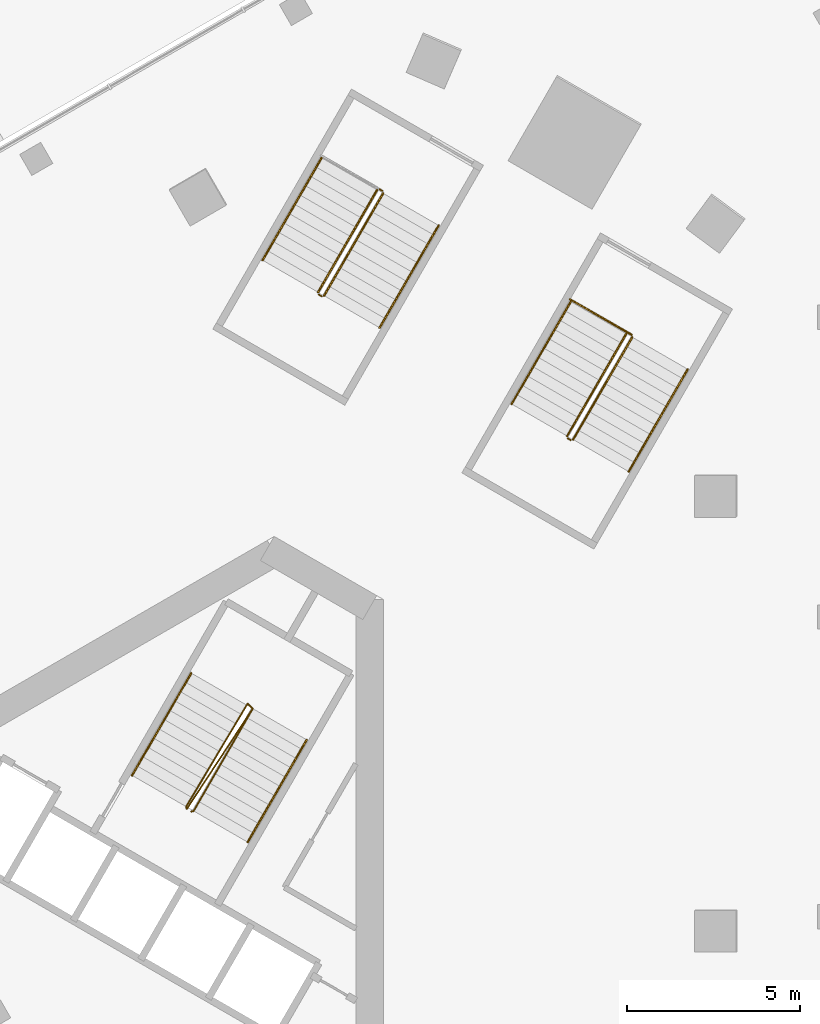
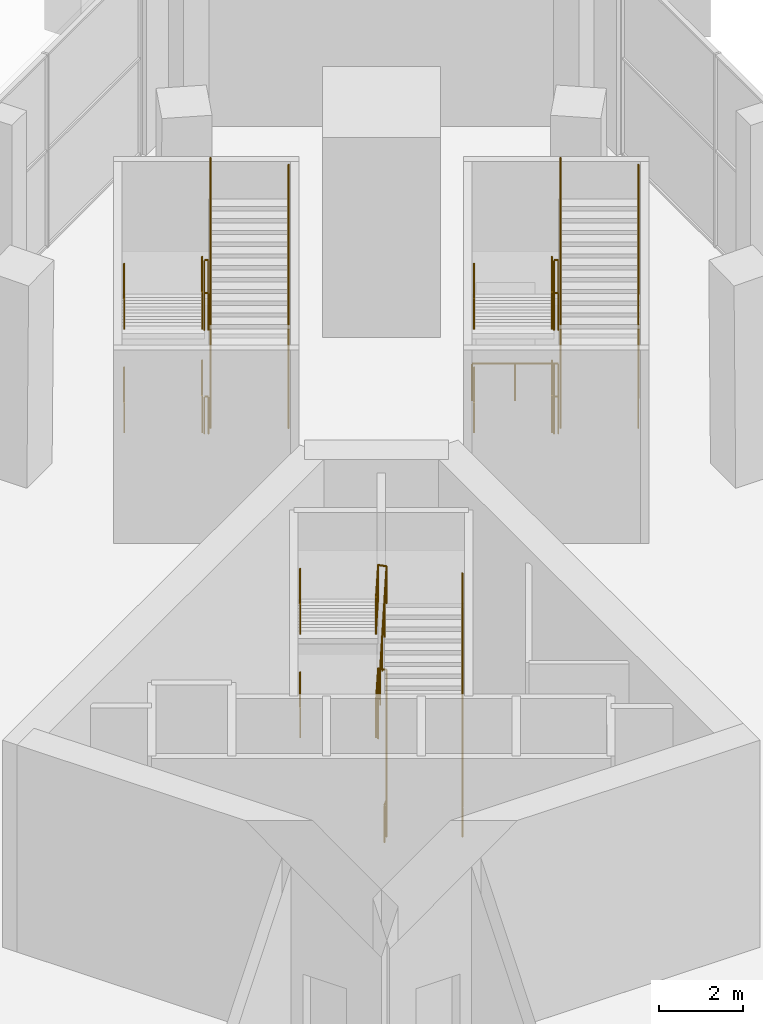
# One storey, part 43 of 51: 29 railings.
"""IFC4 building model written with IfcOpenShell, lengths in metres."""

from ifc_helpers import new_model, si_unit, direction, frame, origin, origin_2d, place, context, subcontext, project, spatial, circle, extrude, material, type_object, element, save


model = new_model("IFC4")

# Units and contexts
model_context = context("Model", 3, precision=1e-05, world=origin(), true_north=direction((0.0, 1.0)))
body_context = subcontext(model_context, "Body", "Model", "MODEL_VIEW")
ifc_project = project(units=[si_unit("LENGTHUNIT", "METRE"), si_unit("AREAUNIT", "SQUARE_METRE"), si_unit("VOLUMEUNIT", "CUBIC_METRE"), si_unit("PLANEANGLEUNIT", "RADIAN"), si_unit("MASSUNIT", "GRAM", prefix="KILO")], contexts=[model_context])

# Site, building, storey
site_placement = place(None, origin())
site = spatial("IfcSite", under=ifc_project, at=site_placement, CompositionType="ELEMENT")
building_placement = place(site_placement, origin())
building = spatial("IfcBuilding", under=site, at=building_placement, Name="Jabali Bay Hotel Tower and Convention Centre", CompositionType="ELEMENT")
storey_placement = place(building_placement, frame((0.0, 0.0, 9.0)))
storey = spatial("IfcBuildingStorey", under=building, at=storey_placement, Name="L01", CompositionType="ELEMENT", Elevation=9.0)

# Railings
ifc_material = material(Name="Steel Q355B", Category="steel")
railing_type_1 = type_object("IfcRailingType", Name="Stair guard 1100", PredefinedType="GUARDRAIL", material=ifc_material)
railing_1_placement = place(storey_placement, frame((84.329833984375, 96.010009765625, 0.0)))
element("IfcRailing", 1, at=railing_1_placement, inside=storey, type_object=railing_type_1, Name="L01 ST2 stair guard 1", PredefinedType="GUARDRAIL", context=body_context, shape_type="SweptSolid", body=[
    extrude(circle(Radius=0.02392578125, at=origin_2d()), frame((0.0, 0.0, 1.076171875), z_axis=(0.475898071169, 0.127472697635, 0.870213615852), x_axis=(-0.258736085224, 0.965948051503, 0.0)), (0.0, 0.0, 1.0), 0.1435546875),
    extrude(circle(Radius=0.02392578125, at=origin_2d()), frame((0.068359375, 0.018310546875, 1.201171875), z_axis=(0.463739605653, 0.803177873708, 0.373966417388), x_axis=(-0.866013897511, 0.50001992892, 0.0)), (0.0, 0.0, 1.0), 3.6767578125),
    extrude(circle(Radius=0.02392578125, at=origin_2d()), frame((1.7734375, 2.971435546875, 2.576171875), z_axis=(-0.718850276695, 0.695164929852, 0.0), x_axis=(-0.695164929852, -0.718850276695, 0.0)), (0.0, 0.0, 1.0), 0.2060546875),
    extrude(circle(Radius=0.02392578125, at=origin_2d()), frame((1.625244140625, 3.11474609375, 2.576171875), z_axis=(-0.470215816766, -0.787857476027, 0.397715580701), x_axis=(0.858692051813, -0.512491912281, 0.0)), (0.0, 0.0, 1.0), 3.771484375),
    extrude(circle(Radius=0.02392578125, at=origin_2d()), frame((-0.148193359375, 0.143310546875, 4.076171875), z_axis=(0.258736085224, -0.965948051503, 0.0), x_axis=(0.965948051503, 0.258736085224, 0.0)), (0.0, 0.0, 1.0), 0.07080078125),
    extrude(circle(Radius=0.02392578125, at=origin_2d()), frame((-0.1298828125, 0.074951171875, 4.076171875), z_axis=(0.503985290176, 0.766967865912, 0.39718902294), x_axis=(-0.835716563808, 0.549161019171, 0.0)), (0.0, 0.0, 1.0), 3.776611328125),
    extrude(circle(Radius=0.02392578125, at=origin_2d()), frame((1.7734375, 2.971435546875, 5.576171875), z_axis=(-0.718850276695, 0.695164929852, 0.0), x_axis=(-0.695164929852, -0.718850276695, 0.0)), (0.0, 0.0, 1.0), 0.2060546875),
    extrude(circle(Radius=0.02392578125, at=origin_2d()), frame((1.625244140625, 3.11474609375, 5.576171875), z_axis=(-0.470215816766, -0.787857476027, 0.397715580701), x_axis=(0.858692051813, -0.512491912281, 0.0)), (0.0, 0.0, 1.0), 3.771484375),
    extrude(circle(Radius=0.02099609375, at=origin_2d()), origin(), (0.0, 0.0, 1.0), 1.052001953125),
    extrude(circle(Radius=0.02099609375, at=origin_2d()), frame((0.068359375, 0.018310546875, 0.125)), (0.0, 0.0, 1.0), 1.052001953125),
    extrude(circle(Radius=0.02099609375, at=origin_2d()), frame((0.49462890625, 0.756591796875, 0.46875)), (0.0, 0.0, 1.0), 1.052001953125),
    extrude(circle(Radius=0.02099609375, at=origin_2d()), frame((0.9208984375, 1.494873046875, 0.8125)), (0.0, 0.0, 1.0), 1.052001953125),
    extrude(circle(Radius=0.02099609375, at=origin_2d()), frame((1.34716796875, 2.233154296875, 1.15625)), (0.0, 0.0, 1.0), 1.052001953125),
    extrude(circle(Radius=0.02099609375, at=origin_2d()), frame((1.7734375, 2.971435546875, 1.5)), (0.0, 0.0, 1.0), 1.052001953125),
    extrude(circle(Radius=0.02099609375, at=origin_2d()), frame((1.625244140625, 3.11474609375, 1.5)), (0.0, 0.0, 1.0), 1.052001953125),
    extrude(circle(Radius=0.02099609375, at=origin_2d()), frame((1.181884765625, 2.371826171875, 1.875)), (0.0, 0.0, 1.0), 1.052001953125),
    extrude(circle(Radius=0.02099609375, at=origin_2d()), frame((0.738525390625, 1.62890625, 2.25)), (0.0, 0.0, 1.0), 1.052001953125),
    extrude(circle(Radius=0.02099609375, at=origin_2d()), frame((0.295166015625, 0.88623046875, 2.625)), (0.0, 0.0, 1.0), 1.052001953125),
    extrude(circle(Radius=0.02099609375, at=origin_2d()), frame((-0.148193359375, 0.143310546875, 3.0)), (0.0, 0.0, 1.0), 1.052001953125),
    extrude(circle(Radius=0.02099609375, at=origin_2d()), frame((-0.1298828125, 0.074951171875, 3.0)), (0.0, 0.0, 1.0), 1.052001953125),
    extrude(circle(Radius=0.02099609375, at=origin_2d()), frame((0.345947265625, 0.799072265625, 3.375)), (0.0, 0.0, 1.0), 1.052001953125),
    extrude(circle(Radius=0.02099609375, at=origin_2d()), frame((0.82177734375, 1.523193359375, 3.75)), (0.0, 0.0, 1.0), 1.052001953125),
    extrude(circle(Radius=0.02099609375, at=origin_2d()), frame((1.297607421875, 2.247314453125, 4.125)), (0.0, 0.0, 1.0), 1.052001953125),
    extrude(circle(Radius=0.02099609375, at=origin_2d()), frame((1.7734375, 2.971435546875, 4.5)), (0.0, 0.0, 1.0), 1.052001953125),
    extrude(circle(Radius=0.02099609375, at=origin_2d()), frame((1.625244140625, 3.11474609375, 4.5)), (0.0, 0.0, 1.0), 1.052001953125),
    extrude(circle(Radius=0.02099609375, at=origin_2d()), frame((1.181884765625, 2.371826171875, 4.875)), (0.0, 0.0, 1.0), 1.052001953125),
    extrude(circle(Radius=0.02099609375, at=origin_2d()), frame((0.738525390625, 1.62890625, 5.25)), (0.0, 0.0, 1.0), 1.052001953125),
    extrude(circle(Radius=0.02099609375, at=origin_2d()), frame((0.295166015625, 0.88623046875, 5.625)), (0.0, 0.0, 1.0), 1.052001953125),
    extrude(circle(Radius=0.02099609375, at=origin_2d()), frame((-0.148193359375, 0.143310546875, 6.0)), (0.0, 0.0, 1.0), 1.052001953125),
])
railing_2_placement = place(storey_placement, frame((89.6943359375, 113.951416015625, 0.125)))
element("IfcRailing", 2, at=railing_2_placement, inside=storey, type_object=railing_type_1, Name="L01 PS3 stair guard 1", PredefinedType="GUARDRAIL", context=body_context, shape_type="SweptSolid", body=[
    extrude(circle(Radius=0.02392578125, at=origin_2d()), frame((0.0, 0.0, 1.076171875), z_axis=(-0.463687482634, -0.803202604889, 0.373977932435), x_axis=(0.866044899352, -0.499966231165, 0.0)), (0.0, 0.0, 1.0), 3.6767578125),
    extrude(circle(Radius=0.02099609375, at=origin_2d()), origin(), (0.0, 0.0, 1.0), 1.052001953125),
    extrude(circle(Radius=0.02099609375, at=origin_2d()), frame((-0.42626953125, -0.73828125, 0.34375)), (0.0, 0.0, 1.0), 1.052001953125),
    extrude(circle(Radius=0.02099609375, at=origin_2d()), frame((-0.8525390625, -1.4765625, 0.6875)), (0.0, 0.0, 1.0), 1.052001953125),
    extrude(circle(Radius=0.02099609375, at=origin_2d()), frame((-1.278564453125, -2.21484375, 1.03125)), (0.0, 0.0, 1.0), 1.052001953125),
    extrude(circle(Radius=0.02099609375, at=origin_2d()), frame((-1.704833984375, -2.953125, 1.375)), (0.0, 0.0, 1.0), 1.052001953125),
])
railing_3_placement = place(storey_placement, frame((88.0078125, 110.929931640625, 1.5)))
element("IfcRailing", 3, at=railing_3_placement, inside=storey, type_object=railing_type_1, Name="L01 PS3 stair guard 2", PredefinedType="GUARDRAIL", context=body_context, shape_type="SweptSolid", body=[
    extrude(circle(Radius=0.02392578125, at=origin_2d()), frame((0.0, 0.0, 1.076171875), z_axis=(0.865370491644, -0.501132629342, 0.0), x_axis=(0.501132629342, 0.865370491644, 0.0)), (0.0, 0.0, 1.0), 0.099853515625),
    extrude(circle(Radius=0.02099609375, at=origin_2d()), origin(), (0.0, 0.0, 1.0), 1.052001953125),
    extrude(circle(Radius=0.02099609375, at=origin_2d()), frame((0.08642578125, -0.050048828125, 0.0)), (0.0, 0.0, 1.0), 1.052001953125),
])
railing_4_placement = place(storey_placement, frame((88.16259765625, 110.898193359375, 1.625)))
element("IfcRailing", 4, at=railing_4_placement, inside=storey, type_object=railing_type_1, Name="L01 PS3 stair guard 3", PredefinedType="GUARDRAIL", context=body_context, shape_type="SweptSolid", body=[
    extrude(circle(Radius=0.02392578125, at=origin_2d()), frame((0.0, 0.0, 1.076171875), z_axis=(0.463739605653, 0.803177873708, 0.373966417388), x_axis=(-0.866013897511, 0.50001992892, 0.0)), (0.0, 0.0, 1.0), 3.6767578125),
    extrude(circle(Radius=0.02099609375, at=origin_2d()), origin(), (0.0, 0.0, 1.0), 1.052001953125),
    extrude(circle(Radius=0.02099609375, at=origin_2d()), frame((0.42626953125, 0.73828125, 0.34375)), (0.0, 0.0, 1.0), 1.052001953125),
    extrude(circle(Radius=0.02099609375, at=origin_2d()), frame((0.8525390625, 1.4765625, 0.6875)), (0.0, 0.0, 1.0), 1.052001953125),
    extrude(circle(Radius=0.02099609375, at=origin_2d()), frame((1.27880859375, 2.21484375, 1.03125)), (0.0, 0.0, 1.0), 1.052001953125),
    extrude(circle(Radius=0.02099609375, at=origin_2d()), frame((1.705078125, 2.953125, 1.375)), (0.0, 0.0, 1.0), 1.052001953125),
])
railing_5_placement = place(storey_placement, frame((89.7626953125, 113.9697265625, 3.0)))
element("IfcRailing", 5, at=railing_5_placement, inside=storey, type_object=railing_type_1, Name="L01 PS3 stair guard 4", PredefinedType="GUARDRAIL", context=body_context, shape_type="SweptSolid", body=[
    extrude(circle(Radius=0.02392578125, at=origin_2d()), frame((0.0, 0.0, 1.076171875), z_axis=(0.865982457891, -0.500074377092, 0.0), x_axis=(0.500074377092, 0.865982457891, 0.0)), (0.0, 0.0, 1.0), 0.10009765625),
    extrude(circle(Radius=0.02099609375, at=origin_2d()), origin(), (0.0, 0.0, 1.0), 1.052001953125),
    extrude(circle(Radius=0.02099609375, at=origin_2d()), frame((0.086669921875, -0.050048828125, 0.0)), (0.0, 0.0, 1.0), 1.052001953125),
])
railing_6_placement = place(storey_placement, frame((89.6943359375, 113.951416015625, 3.125)))
element("IfcRailing", 6, at=railing_6_placement, inside=storey, type_object=railing_type_1, Name="L01 PS3 stair guard 5", PredefinedType="GUARDRAIL", context=body_context, shape_type="SweptSolid", body=[
    extrude(circle(Radius=0.02392578125, at=origin_2d()), frame((0.0, 0.0, 1.076171875), z_axis=(-0.463687482634, -0.803202604889, 0.373977932435), x_axis=(0.866044899352, -0.499966231165, 0.0)), (0.0, 0.0, 1.0), 3.6767578125),
    extrude(circle(Radius=0.02099609375, at=origin_2d()), origin(), (0.0, 0.0, 1.0), 1.052001953125),
    extrude(circle(Radius=0.02099609375, at=origin_2d()), frame((-0.42626953125, -0.73828125, 0.34375)), (0.0, 0.0, 1.0), 1.052001953125),
    extrude(circle(Radius=0.02099609375, at=origin_2d()), frame((-0.8525390625, -1.4765625, 0.6875)), (0.0, 0.0, 1.0), 1.052001953125),
    extrude(circle(Radius=0.02099609375, at=origin_2d()), frame((-1.278564453125, -2.21484375, 1.03125)), (0.0, 0.0, 1.0), 1.052001953125),
    extrude(circle(Radius=0.02099609375, at=origin_2d()), frame((-1.704833984375, -2.953125, 1.375)), (0.0, 0.0, 1.0), 1.052001953125),
])
railing_7_placement = place(storey_placement, frame((88.0078125, 110.929931640625, 4.5)))
element("IfcRailing", 7, at=railing_7_placement, inside=storey, type_object=railing_type_1, Name="L01 PS3 stair guard 6", PredefinedType="GUARDRAIL", context=body_context, shape_type="SweptSolid", body=[
    extrude(circle(Radius=0.02392578125, at=origin_2d()), frame((0.0, 0.0, 1.076171875), z_axis=(0.865370491644, -0.501132629342, 0.0), x_axis=(0.501132629342, 0.865370491644, 0.0)), (0.0, 0.0, 1.0), 0.099853515625),
    extrude(circle(Radius=0.02099609375, at=origin_2d()), origin(), (0.0, 0.0, 1.0), 1.052001953125),
    extrude(circle(Radius=0.02099609375, at=origin_2d()), frame((0.08642578125, -0.050048828125, 0.0)), (0.0, 0.0, 1.0), 1.052001953125),
])
railing_8_placement = place(storey_placement, frame((88.16259765625, 110.898193359375, 4.625)))
element("IfcRailing", 8, at=railing_8_placement, inside=storey, type_object=railing_type_1, Name="L01 PS3 stair guard 7", PredefinedType="GUARDRAIL", context=body_context, shape_type="SweptSolid", body=[
    extrude(circle(Radius=0.02392578125, at=origin_2d()), frame((0.0, 0.0, 1.076171875), z_axis=(0.463739605653, 0.803177873708, 0.373966417388), x_axis=(-0.866013897511, 0.50001992892, 0.0)), (0.0, 0.0, 1.0), 3.6767578125),
    extrude(circle(Radius=0.02099609375, at=origin_2d()), origin(), (0.0, 0.0, 1.0), 1.052001953125),
    extrude(circle(Radius=0.02099609375, at=origin_2d()), frame((0.42626953125, 0.73828125, 0.34375)), (0.0, 0.0, 1.0), 1.052001953125),
    extrude(circle(Radius=0.02099609375, at=origin_2d()), frame((0.8525390625, 1.4765625, 0.6875)), (0.0, 0.0, 1.0), 1.052001953125),
    extrude(circle(Radius=0.02099609375, at=origin_2d()), frame((1.27880859375, 2.21484375, 1.03125)), (0.0, 0.0, 1.0), 1.052001953125),
    extrude(circle(Radius=0.02099609375, at=origin_2d()), frame((1.705078125, 2.953125, 1.375)), (0.0, 0.0, 1.0), 1.052001953125),
])
railing_9_placement = place(storey_placement, frame((95.261962890625, 110.794677734375, 0.0)))
element("IfcRailing", 9, at=railing_9_placement, inside=storey, type_object=railing_type_1, Name="L01 PS4 top well guard 1", PredefinedType="GUARDRAIL", context=body_context, shape_type="SweptSolid", body=[
    extrude(circle(Radius=0.02392578125, at=origin_2d()), frame((0.0, 0.0, 1.076171875), z_axis=(0.866050731258, -0.499956128963, 0.0), x_axis=(0.499956128963, 0.866050731258, 0.0)), (0.0, 0.0, 1.0), 2.050048828125),
    extrude(circle(Radius=0.02099609375, at=origin_2d()), origin(), (0.0, 0.0, 1.0), 1.052001953125),
    extrude(circle(Radius=0.02099609375, at=origin_2d()), frame((0.8876953125, -0.512451171875, 0.0)), (0.0, 0.0, 1.0), 1.052001953125),
    extrude(circle(Radius=0.02099609375, at=origin_2d()), frame((1.775390625, -1.02490234375, 0.0)), (0.0, 0.0, 1.0), 1.052001953125),
])
railing_10_placement = place(storey_placement, frame((96.88232421875, 109.801513671875, 0.125)))
element("IfcRailing", 10, at=railing_10_placement, inside=storey, type_object=railing_type_1, Name="L01 PS4 stair guard 1", PredefinedType="GUARDRAIL", context=body_context, shape_type="SweptSolid", body=[
    extrude(circle(Radius=0.02392578125, at=origin_2d()), frame((0.0, 0.0, 1.076171875), z_axis=(-0.463687482634, -0.803202604889, 0.373977932435), x_axis=(0.866044899352, -0.499966231165, 0.0)), (0.0, 0.0, 1.0), 3.6767578125),
    extrude(circle(Radius=0.02099609375, at=origin_2d()), origin(), (0.0, 0.0, 1.0), 1.052001953125),
    extrude(circle(Radius=0.02099609375, at=origin_2d()), frame((-0.42626953125, -0.73828125, 0.34375)), (0.0, 0.0, 1.0), 1.052001953125),
    extrude(circle(Radius=0.02099609375, at=origin_2d()), frame((-0.8525390625, -1.4765625, 0.6875)), (0.0, 0.0, 1.0), 1.052001953125),
    extrude(circle(Radius=0.02099609375, at=origin_2d()), frame((-1.278564453125, -2.21484375, 1.03125)), (0.0, 0.0, 1.0), 1.052001953125),
    extrude(circle(Radius=0.02099609375, at=origin_2d()), frame((-1.704833984375, -2.953125, 1.375)), (0.0, 0.0, 1.0), 1.052001953125),
])
railing_11_placement = place(storey_placement, frame((95.19580078125, 106.780029296875, 1.5)))
element("IfcRailing", 11, at=railing_11_placement, inside=storey, type_object=railing_type_1, Name="L01 PS4 stair guard 2", PredefinedType="GUARDRAIL", context=body_context, shape_type="SweptSolid", body=[
    extrude(circle(Radius=0.02392578125, at=origin_2d()), frame((0.0, 0.0, 1.076171875), z_axis=(0.865370491644, -0.501132629342, 0.0), x_axis=(0.501132629342, 0.865370491644, 0.0)), (0.0, 0.0, 1.0), 0.099853515625),
    extrude(circle(Radius=0.02099609375, at=origin_2d()), origin(), (0.0, 0.0, 1.0), 1.052001953125),
    extrude(circle(Radius=0.02099609375, at=origin_2d()), frame((0.08642578125, -0.050048828125, 0.0)), (0.0, 0.0, 1.0), 1.052001953125),
])
railing_12_placement = place(storey_placement, frame((95.3505859375, 106.748291015625, 1.625)))
element("IfcRailing", 12, at=railing_12_placement, inside=storey, type_object=railing_type_1, Name="L01 PS4 stair guard 3", PredefinedType="GUARDRAIL", context=body_context, shape_type="SweptSolid", body=[
    extrude(circle(Radius=0.02392578125, at=origin_2d()), frame((0.0, 0.0, 1.076171875), z_axis=(0.463739605653, 0.803177873708, 0.373966417388), x_axis=(-0.866013897511, 0.50001992892, 0.0)), (0.0, 0.0, 1.0), 3.6767578125),
    extrude(circle(Radius=0.02099609375, at=origin_2d()), origin(), (0.0, 0.0, 1.0), 1.052001953125),
    extrude(circle(Radius=0.02099609375, at=origin_2d()), frame((0.42626953125, 0.73828125, 0.34375)), (0.0, 0.0, 1.0), 1.052001953125),
    extrude(circle(Radius=0.02099609375, at=origin_2d()), frame((0.8525390625, 1.4765625, 0.6875)), (0.0, 0.0, 1.0), 1.052001953125),
    extrude(circle(Radius=0.02099609375, at=origin_2d()), frame((1.27880859375, 2.21484375, 1.03125)), (0.0, 0.0, 1.0), 1.052001953125),
    extrude(circle(Radius=0.02099609375, at=origin_2d()), frame((1.705078125, 2.953125, 1.375)), (0.0, 0.0, 1.0), 1.052001953125),
])
railing_13_placement = place(storey_placement, frame((96.95068359375, 109.81982421875, 3.0)))
element("IfcRailing", 13, at=railing_13_placement, inside=storey, type_object=railing_type_1, Name="L01 PS4 stair guard 4", PredefinedType="GUARDRAIL", context=body_context, shape_type="SweptSolid", body=[
    extrude(circle(Radius=0.02392578125, at=origin_2d()), frame((0.0, 0.0, 1.076171875), z_axis=(0.865982457891, -0.500074377092, 0.0), x_axis=(0.500074377092, 0.865982457891, 0.0)), (0.0, 0.0, 1.0), 0.10009765625),
    extrude(circle(Radius=0.02099609375, at=origin_2d()), origin(), (0.0, 0.0, 1.0), 1.052001953125),
    extrude(circle(Radius=0.02099609375, at=origin_2d()), frame((0.086669921875, -0.050048828125, 0.0)), (0.0, 0.0, 1.0), 1.052001953125),
])
railing_14_placement = place(storey_placement, frame((96.88232421875, 109.801513671875, 3.125)))
element("IfcRailing", 14, at=railing_14_placement, inside=storey, type_object=railing_type_1, Name="L01 PS4 stair guard 5", PredefinedType="GUARDRAIL", context=body_context, shape_type="SweptSolid", body=[
    extrude(circle(Radius=0.02392578125, at=origin_2d()), frame((0.0, 0.0, 1.076171875), z_axis=(-0.463687482634, -0.803202604889, 0.373977932435), x_axis=(0.866044899352, -0.499966231165, 0.0)), (0.0, 0.0, 1.0), 3.6767578125),
    extrude(circle(Radius=0.02099609375, at=origin_2d()), origin(), (0.0, 0.0, 1.0), 1.052001953125),
    extrude(circle(Radius=0.02099609375, at=origin_2d()), frame((-0.42626953125, -0.73828125, 0.34375)), (0.0, 0.0, 1.0), 1.052001953125),
    extrude(circle(Radius=0.02099609375, at=origin_2d()), frame((-0.8525390625, -1.4765625, 0.6875)), (0.0, 0.0, 1.0), 1.052001953125),
    extrude(circle(Radius=0.02099609375, at=origin_2d()), frame((-1.278564453125, -2.21484375, 1.03125)), (0.0, 0.0, 1.0), 1.052001953125),
    extrude(circle(Radius=0.02099609375, at=origin_2d()), frame((-1.704833984375, -2.953125, 1.375)), (0.0, 0.0, 1.0), 1.052001953125),
])
railing_15_placement = place(storey_placement, frame((95.19580078125, 106.780029296875, 4.5)))
element("IfcRailing", 15, at=railing_15_placement, inside=storey, type_object=railing_type_1, Name="L01 PS4 stair guard 6", PredefinedType="GUARDRAIL", context=body_context, shape_type="SweptSolid", body=[
    extrude(circle(Radius=0.02392578125, at=origin_2d()), frame((0.0, 0.0, 1.076171875), z_axis=(0.865370491644, -0.501132629342, 0.0), x_axis=(0.501132629342, 0.865370491644, 0.0)), (0.0, 0.0, 1.0), 0.099853515625),
    extrude(circle(Radius=0.02099609375, at=origin_2d()), origin(), (0.0, 0.0, 1.0), 1.052001953125),
    extrude(circle(Radius=0.02099609375, at=origin_2d()), frame((0.08642578125, -0.050048828125, 0.0)), (0.0, 0.0, 1.0), 1.052001953125),
])
railing_16_placement = place(storey_placement, frame((95.3505859375, 106.748291015625, 4.625)))
element("IfcRailing", 16, at=railing_16_placement, inside=storey, type_object=railing_type_1, Name="L01 PS4 stair guard 7", PredefinedType="GUARDRAIL", context=body_context, shape_type="SweptSolid", body=[
    extrude(circle(Radius=0.02392578125, at=origin_2d()), frame((0.0, 0.0, 1.076171875), z_axis=(0.463739605653, 0.803177873708, 0.373966417388), x_axis=(-0.866013897511, 0.50001992892, 0.0)), (0.0, 0.0, 1.0), 3.6767578125),
    extrude(circle(Radius=0.02099609375, at=origin_2d()), origin(), (0.0, 0.0, 1.0), 1.052001953125),
    extrude(circle(Radius=0.02099609375, at=origin_2d()), frame((0.42626953125, 0.73828125, 0.34375)), (0.0, 0.0, 1.0), 1.052001953125),
    extrude(circle(Radius=0.02099609375, at=origin_2d()), frame((0.8525390625, 1.4765625, 0.6875)), (0.0, 0.0, 1.0), 1.052001953125),
    extrude(circle(Radius=0.02099609375, at=origin_2d()), frame((1.27880859375, 2.21484375, 1.03125)), (0.0, 0.0, 1.0), 1.052001953125),
    extrude(circle(Radius=0.02099609375, at=origin_2d()), frame((1.705078125, 2.953125, 1.375)), (0.0, 0.0, 1.0), 1.052001953125),
])
railing_17_placement = place(storey_placement, frame((96.95068359375, 109.81982421875, 0.0)))
element("IfcRailing", 17, at=railing_17_placement, inside=storey, type_object=railing_type_1, Name="L01 PS4 stair guard 8", PredefinedType="GUARDRAIL", context=body_context, shape_type="SweptSolid", body=[
    extrude(circle(Radius=0.02392578125, at=origin_2d()), frame((0.0, 0.0, 1.076171875), z_axis=(0.865982457891, -0.500074377092, 0.0), x_axis=(0.500074377092, 0.865982457891, 0.0)), (0.0, 0.0, 1.0), 0.10009765625),
    extrude(circle(Radius=0.02099609375, at=origin_2d()), origin(), (0.0, 0.0, 1.0), 1.052001953125),
    extrude(circle(Radius=0.02099609375, at=origin_2d()), frame((0.086669921875, -0.050048828125, 0.0)), (0.0, 0.0, 1.0), 1.052001953125),
])
railing_type_2 = type_object("IfcRailingType", Name="Stair handrail 900", PredefinedType="HANDRAIL", material=ifc_material)
railing_18_placement = place(storey_placement, frame((85.95703125, 95.128173828125, 0.125)))
element("IfcRailing", 18, at=railing_18_placement, inside=storey, type_object=railing_type_2, Name="L01 ST2 stair handrail 1", PredefinedType="HANDRAIL", context=body_context, shape_type="SweptSolid", body=[
    extrude(circle(Radius=0.02392578125, at=origin_2d()), frame((0.0, 0.0, 0.8759765625), z_axis=(0.463739605653, 0.803177873708, 0.373966417388), x_axis=(-0.866013897511, 0.50001992892, 0.0)), (0.0, 0.0, 1.0), 3.6767578125),
    extrude(circle(Radius=0.02099609375, at=origin_2d()), origin(), (0.0, 0.0, 1.0), 0.851806640625),
    extrude(circle(Radius=0.02099609375, at=origin_2d()), frame((0.42626953125, 0.73828125, 0.34375)), (0.0, 0.0, 1.0), 0.851806640625),
    extrude(circle(Radius=0.02099609375, at=origin_2d()), frame((0.8525390625, 1.4765625, 0.6875)), (0.0, 0.0, 1.0), 0.851806640625),
    extrude(circle(Radius=0.02099609375, at=origin_2d()), frame((1.27880859375, 2.21484375, 1.03125)), (0.0, 0.0, 1.0), 0.851806640625),
    extrude(circle(Radius=0.02099609375, at=origin_2d()), frame((1.705078125, 2.953125, 1.375)), (0.0, 0.0, 1.0), 0.851806640625),
])
railing_19_placement = place(storey_placement, frame((84.327880859375, 100.00634765625, 1.625)))
element("IfcRailing", 19, at=railing_19_placement, inside=storey, type_object=railing_type_2, Name="L01 ST2 stair handrail 2", PredefinedType="HANDRAIL", context=body_context, shape_type="SweptSolid", body=[
    extrude(circle(Radius=0.02392578125, at=origin_2d()), frame((0.0, 0.0, 0.8759765625), z_axis=(-0.463739605653, -0.803177873708, 0.373966417388), x_axis=(0.866013897511, -0.50001992892, 0.0)), (0.0, 0.0, 1.0), 3.6767578125),
    extrude(circle(Radius=0.02099609375, at=origin_2d()), origin(), (0.0, 0.0, 1.0), 0.851806640625),
    extrude(circle(Radius=0.02099609375, at=origin_2d()), frame((-0.42626953125, -0.73828125, 0.34375)), (0.0, 0.0, 1.0), 0.851806640625),
    extrude(circle(Radius=0.02099609375, at=origin_2d()), frame((-0.8525390625, -1.4765625, 0.6875)), (0.0, 0.0, 1.0), 0.851806640625),
    extrude(circle(Radius=0.02099609375, at=origin_2d()), frame((-1.27880859375, -2.21484375, 1.03125)), (0.0, 0.0, 1.0), 0.851806640625),
    extrude(circle(Radius=0.02099609375, at=origin_2d()), frame((-1.705078125, -2.953125, 1.375)), (0.0, 0.0, 1.0), 0.851806640625),
])
railing_20_placement = place(storey_placement, frame((85.95703125, 95.128173828125, 3.125)))
element("IfcRailing", 20, at=railing_20_placement, inside=storey, type_object=railing_type_2, Name="L01 ST2 stair handrail 3", PredefinedType="HANDRAIL", context=body_context, shape_type="SweptSolid", body=[
    extrude(circle(Radius=0.02392578125, at=origin_2d()), frame((0.0, 0.0, 0.8759765625), z_axis=(0.463739605653, 0.803177873708, 0.373966417388), x_axis=(-0.866013897511, 0.50001992892, 0.0)), (0.0, 0.0, 1.0), 3.6767578125),
    extrude(circle(Radius=0.02099609375, at=origin_2d()), origin(), (0.0, 0.0, 1.0), 0.851806640625),
    extrude(circle(Radius=0.02099609375, at=origin_2d()), frame((0.42626953125, 0.73828125, 0.34375)), (0.0, 0.0, 1.0), 0.851806640625),
    extrude(circle(Radius=0.02099609375, at=origin_2d()), frame((0.8525390625, 1.4765625, 0.6875)), (0.0, 0.0, 1.0), 0.851806640625),
    extrude(circle(Radius=0.02099609375, at=origin_2d()), frame((1.27880859375, 2.21484375, 1.03125)), (0.0, 0.0, 1.0), 0.851806640625),
    extrude(circle(Radius=0.02099609375, at=origin_2d()), frame((1.705078125, 2.953125, 1.375)), (0.0, 0.0, 1.0), 0.851806640625),
])
for number, where, name in (
    (21, (84.327880859375, 100.00634765625, 4.625), "L01 ST2 stair handrail 4"),
    (22, (88.09228515625, 114.87646484375, 0.125), "L01 PS3 stair handrail 1"),
):
    element("IfcRailing", number, at=place(storey_placement, frame(where)), inside=storey, type_object=railing_type_2, Name=name, PredefinedType="HANDRAIL", context=body_context, shape_type="SweptSolid", body=[
        extrude(circle(Radius=0.02392578125, at=origin_2d()), frame((0.0, 0.0, 0.8759765625), z_axis=(-0.463739605653, -0.803177873708, 0.373966417388), x_axis=(0.866013897511, -0.50001992892, 0.0)), (0.0, 0.0, 1.0), 3.6767578125),
        extrude(circle(Radius=0.02099609375, at=origin_2d()), origin(), (0.0, 0.0, 1.0), 0.851806640625),
        extrude(circle(Radius=0.02099609375, at=origin_2d()), frame((-0.42626953125, -0.73828125, 0.34375)), (0.0, 0.0, 1.0), 0.851806640625),
        extrude(circle(Radius=0.02099609375, at=origin_2d()), frame((-0.8525390625, -1.4765625, 0.6875)), (0.0, 0.0, 1.0), 0.851806640625),
        extrude(circle(Radius=0.02099609375, at=origin_2d()), frame((-1.27880859375, -2.21484375, 1.03125)), (0.0, 0.0, 1.0), 0.851806640625),
        extrude(circle(Radius=0.02099609375, at=origin_2d()), frame((-1.705078125, -2.953125, 1.375)), (0.0, 0.0, 1.0), 0.851806640625),
    ])
railing_21_placement = place(storey_placement, frame((89.7646484375, 109.973388671875, 1.625)))
element("IfcRailing", 23, at=railing_21_placement, inside=storey, type_object=railing_type_2, Name="L01 PS3 stair handrail 2", PredefinedType="HANDRAIL", context=body_context, shape_type="SweptSolid", body=[
    extrude(circle(Radius=0.02392578125, at=origin_2d()), frame((0.0, 0.0, 0.8759765625), z_axis=(0.463739605653, 0.803177873708, 0.373966417388), x_axis=(-0.866013897511, 0.50001992892, 0.0)), (0.0, 0.0, 1.0), 3.6767578125),
    extrude(circle(Radius=0.02099609375, at=origin_2d()), origin(), (0.0, 0.0, 1.0), 0.851806640625),
    extrude(circle(Radius=0.02099609375, at=origin_2d()), frame((0.42626953125, 0.73828125, 0.34375)), (0.0, 0.0, 1.0), 0.851806640625),
    extrude(circle(Radius=0.02099609375, at=origin_2d()), frame((0.8525390625, 1.4765625, 0.6875)), (0.0, 0.0, 1.0), 0.851806640625),
    extrude(circle(Radius=0.02099609375, at=origin_2d()), frame((1.27880859375, 2.21484375, 1.03125)), (0.0, 0.0, 1.0), 0.851806640625),
    extrude(circle(Radius=0.02099609375, at=origin_2d()), frame((1.705078125, 2.953125, 1.375)), (0.0, 0.0, 1.0), 0.851806640625),
])
railing_22_placement = place(storey_placement, frame((88.09228515625, 114.87646484375, 3.125)))
element("IfcRailing", 24, at=railing_22_placement, inside=storey, type_object=railing_type_2, Name="L01 PS3 stair handrail 3", PredefinedType="HANDRAIL", context=body_context, shape_type="SweptSolid", body=[
    extrude(circle(Radius=0.02392578125, at=origin_2d()), frame((0.0, 0.0, 0.8759765625), z_axis=(-0.463739605653, -0.803177873708, 0.373966417388), x_axis=(0.866013897511, -0.50001992892, 0.0)), (0.0, 0.0, 1.0), 3.6767578125),
    extrude(circle(Radius=0.02099609375, at=origin_2d()), origin(), (0.0, 0.0, 1.0), 0.851806640625),
    extrude(circle(Radius=0.02099609375, at=origin_2d()), frame((-0.42626953125, -0.73828125, 0.34375)), (0.0, 0.0, 1.0), 0.851806640625),
    extrude(circle(Radius=0.02099609375, at=origin_2d()), frame((-0.8525390625, -1.4765625, 0.6875)), (0.0, 0.0, 1.0), 0.851806640625),
    extrude(circle(Radius=0.02099609375, at=origin_2d()), frame((-1.27880859375, -2.21484375, 1.03125)), (0.0, 0.0, 1.0), 0.851806640625),
    extrude(circle(Radius=0.02099609375, at=origin_2d()), frame((-1.705078125, -2.953125, 1.375)), (0.0, 0.0, 1.0), 0.851806640625),
])
railing_23_placement = place(storey_placement, frame((89.7646484375, 109.973388671875, 4.625)))
element("IfcRailing", 25, at=railing_23_placement, inside=storey, type_object=railing_type_2, Name="L01 PS3 stair handrail 4", PredefinedType="HANDRAIL", context=body_context, shape_type="SweptSolid", body=[
    extrude(circle(Radius=0.02392578125, at=origin_2d()), frame((0.0, 0.0, 0.8759765625), z_axis=(0.463739605653, 0.803177873708, 0.373966417388), x_axis=(-0.866013897511, 0.50001992892, 0.0)), (0.0, 0.0, 1.0), 3.6767578125),
    extrude(circle(Radius=0.02099609375, at=origin_2d()), origin(), (0.0, 0.0, 1.0), 0.851806640625),
    extrude(circle(Radius=0.02099609375, at=origin_2d()), frame((0.42626953125, 0.73828125, 0.34375)), (0.0, 0.0, 1.0), 0.851806640625),
    extrude(circle(Radius=0.02099609375, at=origin_2d()), frame((0.8525390625, 1.4765625, 0.6875)), (0.0, 0.0, 1.0), 0.851806640625),
    extrude(circle(Radius=0.02099609375, at=origin_2d()), frame((1.27880859375, 2.21484375, 1.03125)), (0.0, 0.0, 1.0), 0.851806640625),
    extrude(circle(Radius=0.02099609375, at=origin_2d()), frame((1.705078125, 2.953125, 1.375)), (0.0, 0.0, 1.0), 0.851806640625),
])
railing_24_placement = place(storey_placement, frame((95.2802734375, 110.726318359375, 0.125)))
element("IfcRailing", 26, at=railing_24_placement, inside=storey, type_object=railing_type_2, Name="L01 PS4 stair handrail 1", PredefinedType="HANDRAIL", context=body_context, shape_type="SweptSolid", body=[
    extrude(circle(Radius=0.02392578125, at=origin_2d()), frame((0.0, 0.0, 0.8759765625), z_axis=(-0.463739605653, -0.803177873708, 0.373966417388), x_axis=(0.866013897511, -0.50001992892, 0.0)), (0.0, 0.0, 1.0), 3.6767578125),
    extrude(circle(Radius=0.02099609375, at=origin_2d()), origin(), (0.0, 0.0, 1.0), 0.851806640625),
    extrude(circle(Radius=0.02099609375, at=origin_2d()), frame((-0.42626953125, -0.73828125, 0.34375)), (0.0, 0.0, 1.0), 0.851806640625),
    extrude(circle(Radius=0.02099609375, at=origin_2d()), frame((-0.8525390625, -1.4765625, 0.6875)), (0.0, 0.0, 1.0), 0.851806640625),
    extrude(circle(Radius=0.02099609375, at=origin_2d()), frame((-1.27880859375, -2.21484375, 1.03125)), (0.0, 0.0, 1.0), 0.851806640625),
    extrude(circle(Radius=0.02099609375, at=origin_2d()), frame((-1.705078125, -2.953125, 1.375)), (0.0, 0.0, 1.0), 0.851806640625),
])
railing_25_placement = place(storey_placement, frame((96.95263671875, 105.8232421875, 1.625)))
element("IfcRailing", 27, at=railing_25_placement, inside=storey, type_object=railing_type_2, Name="L01 PS4 stair handrail 2", PredefinedType="HANDRAIL", context=body_context, shape_type="SweptSolid", body=[
    extrude(circle(Radius=0.02392578125, at=origin_2d()), frame((0.0, 0.0, 0.8759765625), z_axis=(0.463739605653, 0.803177873708, 0.373966417388), x_axis=(-0.866013897511, 0.50001992892, 0.0)), (0.0, 0.0, 1.0), 3.6767578125),
    extrude(circle(Radius=0.02099609375, at=origin_2d()), origin(), (0.0, 0.0, 1.0), 0.851806640625),
    extrude(circle(Radius=0.02099609375, at=origin_2d()), frame((0.42626953125, 0.73828125, 0.34375)), (0.0, 0.0, 1.0), 0.851806640625),
    extrude(circle(Radius=0.02099609375, at=origin_2d()), frame((0.8525390625, 1.4765625, 0.6875)), (0.0, 0.0, 1.0), 0.851806640625),
    extrude(circle(Radius=0.02099609375, at=origin_2d()), frame((1.27880859375, 2.21484375, 1.03125)), (0.0, 0.0, 1.0), 0.851806640625),
    extrude(circle(Radius=0.02099609375, at=origin_2d()), frame((1.705078125, 2.953125, 1.375)), (0.0, 0.0, 1.0), 0.851806640625),
])
railing_26_placement = place(storey_placement, frame((95.2802734375, 110.726318359375, 3.125)))
element("IfcRailing", 28, at=railing_26_placement, inside=storey, type_object=railing_type_2, Name="L01 PS4 stair handrail 3", PredefinedType="HANDRAIL", context=body_context, shape_type="SweptSolid", body=[
    extrude(circle(Radius=0.02392578125, at=origin_2d()), frame((0.0, 0.0, 0.8759765625), z_axis=(-0.463739605653, -0.803177873708, 0.373966417388), x_axis=(0.866013897511, -0.50001992892, 0.0)), (0.0, 0.0, 1.0), 3.6767578125),
    extrude(circle(Radius=0.02099609375, at=origin_2d()), origin(), (0.0, 0.0, 1.0), 0.851806640625),
    extrude(circle(Radius=0.02099609375, at=origin_2d()), frame((-0.42626953125, -0.73828125, 0.34375)), (0.0, 0.0, 1.0), 0.851806640625),
    extrude(circle(Radius=0.02099609375, at=origin_2d()), frame((-0.8525390625, -1.4765625, 0.6875)), (0.0, 0.0, 1.0), 0.851806640625),
    extrude(circle(Radius=0.02099609375, at=origin_2d()), frame((-1.27880859375, -2.21484375, 1.03125)), (0.0, 0.0, 1.0), 0.851806640625),
    extrude(circle(Radius=0.02099609375, at=origin_2d()), frame((-1.705078125, -2.953125, 1.375)), (0.0, 0.0, 1.0), 0.851806640625),
])
railing_27_placement = place(storey_placement, frame((96.95263671875, 105.8232421875, 4.625)))
element("IfcRailing", 29, at=railing_27_placement, inside=storey, type_object=railing_type_2, Name="L01 PS4 stair handrail 4", PredefinedType="HANDRAIL", context=body_context, shape_type="SweptSolid", body=[
    extrude(circle(Radius=0.02392578125, at=origin_2d()), frame((0.0, 0.0, 0.8759765625), z_axis=(0.463739605653, 0.803177873708, 0.373966417388), x_axis=(-0.866013897511, 0.50001992892, 0.0)), (0.0, 0.0, 1.0), 3.6767578125),
    extrude(circle(Radius=0.02099609375, at=origin_2d()), origin(), (0.0, 0.0, 1.0), 0.851806640625),
    extrude(circle(Radius=0.02099609375, at=origin_2d()), frame((0.42626953125, 0.73828125, 0.34375)), (0.0, 0.0, 1.0), 0.851806640625),
    extrude(circle(Radius=0.02099609375, at=origin_2d()), frame((0.8525390625, 1.4765625, 0.6875)), (0.0, 0.0, 1.0), 0.851806640625),
    extrude(circle(Radius=0.02099609375, at=origin_2d()), frame((1.27880859375, 2.21484375, 1.03125)), (0.0, 0.0, 1.0), 0.851806640625),
    extrude(circle(Radius=0.02099609375, at=origin_2d()), frame((1.705078125, 2.953125, 1.375)), (0.0, 0.0, 1.0), 0.851806640625),
])

save(model, "model.ifc")
